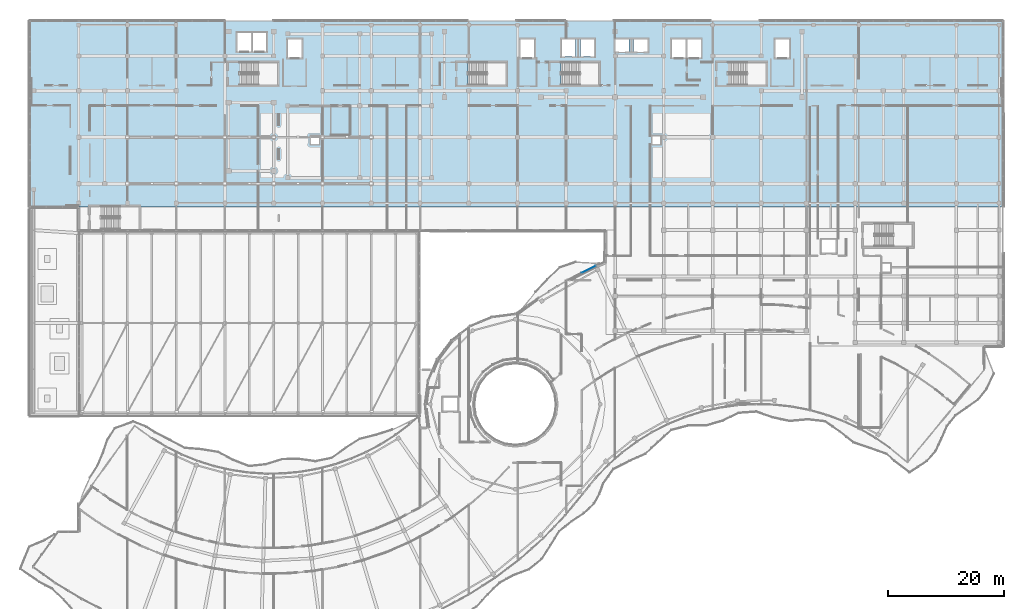
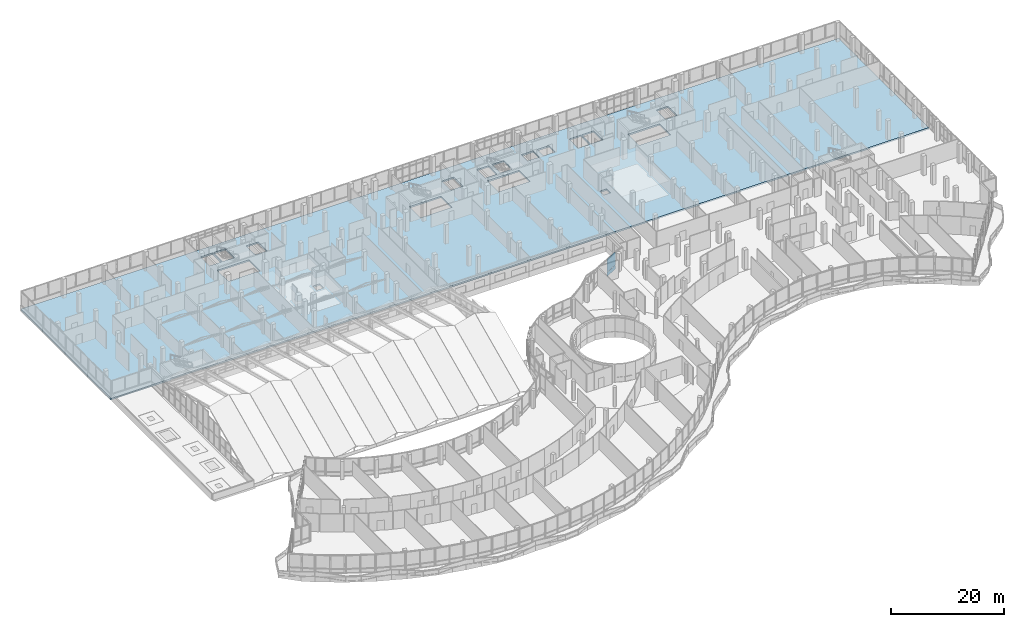
# One storey, part 154 of 184: 2 plates, 1 slab, 1 element without a shape of its own.
"""IFC4 building model written with IfcOpenShell, lengths in metres."""

import ifcopenshell
import ifcopenshell.guid

model = None  # the IFC model being written
_history = None  # IfcOwnerHistory: only IFC2X3 demands one
_inside = {}  # id of a spatial element -> (the spatial element, [elements in it])
_under = {}  # id of a project, library or spatial element -> (it, [spatial elements below it])
_declared = {}  # id of a project -> (the project, [libraries it declares])
_typed = {}  # id of a type object -> (the type object, [elements of that type])
_made_of = {}  # id of a material, layer set ... -> (it, [elements and type objects made of it])


def new_model(schema):
    """Start an empty IFC model of exactly this schema.

    Asked for "IFC4X3", IfcOpenShell would pick the latest addendum, in which some entities
    have other attributes; the version numbers below select the first issue.
    IFC2X3 requires an IfcOwnerHistory on every rooted entity: one is made here for all.
    """
    global model, _history
    if schema == "IFC4X3":
        model = ifcopenshell.file(schema_version=(4, 3, 0, 0))
    else:
        model = ifcopenshell.file(schema=schema)
    _inside.clear()
    _under.clear()
    _declared.clear()
    _typed.clear()
    _made_of.clear()
    _history = None
    if model.schema == "IFC2X3":
        org = make("IfcOrganization", Name="unknown")
        user = make(
            "IfcPersonAndOrganization",
            ThePerson=make("IfcPerson", FamilyName="unknown"),
            TheOrganization=org,
        )
        app = make(
            "IfcApplication",
            ApplicationDeveloper=org,
            Version="unknown",
            ApplicationFullName="unknown",
            ApplicationIdentifier="unknown",
        )
        _history = make(
            "IfcOwnerHistory",
            OwningUser=user,
            OwningApplication=app,
            ChangeAction="ADDED",
            CreationDate=0,
        )
    return model


def make(cls, **values):
    """One entity of the class cls with the attributes given. An attribute that is None is left unset."""
    return model.create_entity(
        cls, **{name: value for name, value in values.items() if value is not None}
    )


def rooted(cls, **values):
    """An entity with a GlobalId (a new one), such as an element, a storey or a relation."""
    return make(cls, GlobalId=ifcopenshell.guid.new(), OwnerHistory=_history, **values)


def si_unit(unit_type, name, prefix=None):
    """IfcSIUnit, for example si_unit("LENGTHUNIT", "METRE", prefix="MILLI")."""
    return make("IfcSIUnit", UnitType=unit_type, Prefix=prefix, Name=name)


def assignment(units):
    """IfcUnitAssignment: the units of a project."""
    return None if units is None else make("IfcUnitAssignment", Units=units)


def point(xyz):
    """IfcCartesianPoint."""
    return None if xyz is None else make("IfcCartesianPoint", Coordinates=xyz)


def direction(xyz):
    """IfcDirection."""
    return None if xyz is None else make("IfcDirection", DirectionRatios=xyz)


def frame(location, z_axis=None, x_axis=None):
    """IfcAxis2Placement3D, a coordinate frame: its origin and axes. An axis left out is left unset."""
    return make(
        "IfcAxis2Placement3D",
        Location=point(location),
        Axis=direction(z_axis),
        RefDirection=direction(x_axis),
    )


def frame_2d(location, x_axis=None):
    """IfcAxis2Placement2D, a coordinate frame in the plane: its origin and x axis."""
    return make(
        "IfcAxis2Placement2D", Location=point(location), RefDirection=direction(x_axis)
    )


def origin():
    """The frame at (0, 0, 0) with its axes left unset."""
    return frame((0.0, 0.0, 0.0))


def origin_2d():
    """The frame at (0, 0) in the plane with its x axis left unset."""
    return frame_2d((0.0, 0.0))


def place(relative_to, where):
    """IfcLocalPlacement: puts the frame where relative to a parent placement (None: the world)."""
    return make(
        "IfcLocalPlacement", PlacementRelTo=relative_to, RelativePlacement=where
    )


def context(
    kind, dimensions, precision=None, world=None, true_north=None, identifier=None
):
    """IfcGeometricRepresentationContext, for example the 3D "Model" context."""
    return make(
        "IfcGeometricRepresentationContext",
        ContextIdentifier=identifier,
        ContextType=kind,
        CoordinateSpaceDimension=dimensions,
        Precision=precision,
        WorldCoordinateSystem=world,
        TrueNorth=true_north,
    )


def subcontext(parent, identifier, kind, view, scale=None):
    """IfcGeometricRepresentationSubContext, for example "Body" below "Model"."""
    return make(
        "IfcGeometricRepresentationSubContext",
        ContextIdentifier=identifier,
        ContextType=kind,
        ParentContext=parent,
        TargetScale=scale,
        TargetView=view,
    )


def project(units=None, contexts=None):
    """IfcProject with its units and contexts."""
    return rooted(
        "IfcProject",
        Name="project",
        RepresentationContexts=contexts,
        UnitsInContext=assignment(units),
    )


def spatial(cls, under=None, at=None, **own):
    """A site, building, storey or space (cls), placed at a placement, below another one or the project."""
    s = rooted(cls, ObjectPlacement=at, **own)
    if under is not None:
        _under.setdefault(under.id(), (under, []))[1].append(s)
    return s


def polyline(points):
    """IfcPolyline through the points."""
    return make("IfcPolyline", Points=[point(p) for p in points])


def profile(cls, at=None, kind="AREA", **sizes):
    """A parametric profile (cls). Its sizes go by their IFC names, for example OverallWidth=200.0."""
    return make(cls, ProfileType=kind, Position=at, **sizes)


def rectangle(**sizes):
    """IfcRectangleProfileDef."""
    return profile("IfcRectangleProfileDef", **sizes)


def outline(outer, holes=None, kind="AREA"):
    """IfcArbitraryClosedProfileDef: a profile drawn as a closed curve; with holes, ...WithVoids."""
    if holes is None:
        return make("IfcArbitraryClosedProfileDef", ProfileType=kind, OuterCurve=outer)
    return make(
        "IfcArbitraryProfileDefWithVoids",
        ProfileType=kind,
        OuterCurve=outer,
        InnerCurves=holes,
    )


def extrude(swept, where, along, depth):
    """IfcExtrudedAreaSolid: the profile swept, set in the frame where, extruded along a direction by depth."""
    return make(
        "IfcExtrudedAreaSolid",
        SweptArea=swept,
        Position=where,
        ExtrudedDirection=direction(along),
        Depth=depth,
    )


def shape(context_of_items, identifier, shape_type, items):
    """IfcShapeRepresentation: the items that make up one representation, for example the "Body"."""
    return make(
        "IfcShapeRepresentation",
        ContextOfItems=context_of_items,
        RepresentationIdentifier=identifier,
        RepresentationType=shape_type,
        Items=items,
    )


def material(Name=None, Category=None):
    """IfcMaterial."""
    return make("IfcMaterial", Name=Name, Category=Category)


def layer(
    of_material, thickness, ventilated=None, Name=None, Category=None, Priority=None
):
    """IfcMaterialLayer: one layer of a wall or slab, of a material (None: an air gap)."""
    return make(
        "IfcMaterialLayer",
        Material=of_material,
        LayerThickness=thickness,
        IsVentilated=ventilated,
        Name=Name,
        Category=Category,
        Priority=Priority,
    )


def layer_set(layers, Name=None):
    """IfcMaterialLayerSet."""
    return make("IfcMaterialLayerSet", MaterialLayers=layers, LayerSetName=Name)


def made_of(thing, what):
    """Note that an element or type object is made of a material, layer set ...; save() writes the relation."""
    if what is not None:
        _made_of.setdefault(what.id(), (what, []))[1].append(thing)
    return thing


def type_object(cls, material=None, **own):
    """A type object (cls), such as IfcWallType, which elements share."""
    return made_of(rooted(cls, **own), material)


def element(
    cls,
    number,
    at=None,
    inside=None,
    cuts=None,
    type_object=None,
    material=None,
    context=None,
    identifier="Body",
    shape_type=None,
    held_by="IfcProductDefinitionShape",
    body=None,
    shapes=None,
    **own,
):
    """One element of the class cls, such as IfcWall. Its Tag is "e" and its number.

    at: its placement. inside: the storey or other place that contains it. cuts: it is an
    opening in that element (IfcRelVoidsElement). A single representation is given by context,
    identifier, shape_type and body (its items); several are given by shapes. held_by: the class
    of the entity that holds the representations. save() writes the other relations.
    """
    e = rooted(cls, Tag="e%d" % number, ObjectPlacement=at, **own)
    if body is not None:
        shapes = [shape(context, identifier, shape_type, body)]
    if shapes is not None:
        e.Representation = make(held_by, Representations=shapes)
    if inside is not None:
        _inside.setdefault(inside.id(), (inside, []))[1].append(e)
    if cuts is not None:
        rooted(
            "IfcRelVoidsElement", RelatingBuildingElement=cuts, RelatedOpeningElement=e
        )
    if type_object is not None:
        _typed.setdefault(type_object.id(), (type_object, []))[1].append(e)
    return made_of(e, material)


def aggregate(whole, parts):
    """IfcRelAggregates: a whole, such as a stair, and the parts it consists of."""
    return rooted("IfcRelAggregates", RelatingObject=whole, RelatedObjects=parts)


def save(model, path):
    """Write the relations noted so far, then the file.

    IfcRelAggregates (storeys below a building ...), IfcRelContainedInSpatialStructure (elements
    in a storey), IfcRelDefinesByType, IfcRelAssociatesMaterial and IfcRelDeclares: one each for
    every whole, place, type object, material and project.
    """
    for whole, parts in _under.values():
        aggregate(whole, parts)
    for where, things in _inside.values():
        rooted(
            "IfcRelContainedInSpatialStructure",
            RelatedElements=things,
            RelatingStructure=where,
        )
    for kind, things in _typed.values():
        rooted("IfcRelDefinesByType", RelatedObjects=things, RelatingType=kind)
    for what, things in _made_of.values():
        rooted("IfcRelAssociatesMaterial", RelatedObjects=things, RelatingMaterial=what)
    for by, libraries in _declared.values():
        rooted("IfcRelDeclares", RelatingContext=by, RelatedDefinitions=libraries)
    model.write(path)


model = new_model("IFC4")

# Units and contexts
model_context = context("Model", 3, precision=1e-05, world=origin(), true_north=direction((0.0, 1.0)))
body_context = subcontext(model_context, "Body", "Model", "MODEL_VIEW")
ifc_project = project(units=[si_unit("LENGTHUNIT", "METRE"), si_unit("AREAUNIT", "SQUARE_METRE"), si_unit("VOLUMEUNIT", "CUBIC_METRE"), si_unit("PLANEANGLEUNIT", "RADIAN"), si_unit("MASSUNIT", "GRAM", prefix="KILO")], contexts=[model_context])

# Site, building, storey
site_placement = place(None, origin())
site = spatial("IfcSite", under=ifc_project, at=site_placement, CompositionType="ELEMENT")
building_placement = place(site_placement, origin())
building = spatial("IfcBuilding", under=site, at=building_placement, Name="Selatvlak General Hospital", CompositionType="ELEMENT")
storey_placement = place(building_placement, frame((0.0, 0.0, 15.0)))
storey = spatial("IfcBuildingStorey", under=building, at=storey_placement, Name="L03", CompositionType="ELEMENT", Elevation=15.0)

# Curtain wall, plates
ifc_material_1 = material(Name="Solar-control Low-E double glazing", Category="glass")
curtain_wall_type = type_object("IfcCurtainWallType", Name="CW-CW-01", PredefinedType="USERDEFINED", material=ifc_material_1)
curtain_wall_placement = place(storey_placement, origin())
curtain_wall = element("IfcCurtainWall", 1, at=curtain_wall_placement, inside=storey, type_object=curtain_wall_type, Name="Glazed facade curtain wall CW-L03-0473", ObjectType="UNITISED CURTAIN WALL", PredefinedType="USERDEFINED")
ifc_layer_1 = layer(ifc_material_1, 0.028076171875, Name="Solar-control Low-E double glazing", Category="glass")
ifc_layer_set_1 = layer_set([ifc_layer_1], Name="Solar-control Low-E double glazing")
plate_type = type_object("IfcPlateType", Name="CWP-01", PredefinedType="CURTAIN_PANEL", material=ifc_layer_set_1)
plate_1_placement = place(storey_placement, frame((110.6513671875, 77.23583984375, 0.06494140625), z_axis=(0.0, 0.0, 1.0), x_axis=(0.891326828077, 0.453361318983, 0.0)))
plate_1 = element("IfcPlate", 2, at=plate_1_placement, type_object=plate_type, Name="CW-01 panel 2.1", PredefinedType="CURTAIN_PANEL", context=body_context, shape_type="SweptSolid", body=[
    extrude(rectangle(XDim=2.6630859375, YDim=0.028076171875, at=origin_2d()), origin(), (0.0, 0.0, 1.0), 0.8525390625),
])
plate_2_placement = place(storey_placement, frame((110.6513671875, 77.23583984375, 0.982421875), z_axis=(0.0, 0.0, 1.0), x_axis=(0.891326828077, 0.453361318983, 0.0)))
plate_2 = element("IfcPlate", 3, at=plate_2_placement, type_object=plate_type, Name="CW-01 panel 2.2", PredefinedType="CURTAIN_PANEL", context=body_context, shape_type="SweptSolid", body=[
    extrude(rectangle(XDim=2.6630859375, YDim=0.028076171875, at=origin_2d()), origin(), (0.0, 0.0, 1.0), 2.847412109375),
])
aggregate(curtain_wall, [plate_1, plate_2])

# Slab
ifc_material_2 = material(Name="Concrete C40/50", Category="concrete")
ifc_layer_2 = layer(ifc_material_2, 0.340087890625, Name="Concrete C40/50", Category="concrete")
ifc_layer_set_2 = layer_set([ifc_layer_2], Name="Concrete C40/50")
slab_type = type_object("IfcSlabType", Name="SLAB-SL-FL3", PredefinedType="FLOOR", material=ifc_layer_set_2)
slab_placement = place(storey_placement, frame((0.0, 0.0, -0.340087890625)))
element("IfcSlab", 4, at=slab_placement, inside=storey, type_object=slab_type, Name="L03 V5N structural slab", PredefinedType="FLOOR", context=body_context, shape_type="SweptSolid", body=[
    extrude(outline(polyline([(33.199951171875, 88.008056640625), (33.199951171875, 88.139892578125), (26.705078125, 88.139892578125), (26.705078125, 88.008056640625), (14.39990234375, 88.0), (14.39990234375, 120.0), (182.0, 120.0), (182.0, 88.0), (33.199951171875, 88.008056640625)]), holes=[polyline([(57.050048828125, 112.93994140625), (50.554931640625, 112.93994140625), (50.554931640625, 109.0), (57.050048828125, 109.0), (57.050048828125, 112.93994140625)]), polyline([(96.39990234375, 109.0), (96.39990234375, 112.93994140625), (89.905029296875, 112.93994140625), (89.905029296875, 109.0), (96.39990234375, 109.0)]), polyline([(105.905029296875, 109.0), (112.39990234375, 109.0), (112.39990234375, 112.93994140625), (105.905029296875, 112.93994140625), (105.905029296875, 109.0)]), polyline([(134.705078125, 112.93994140625), (134.705078125, 109.0), (141.199951171875, 109.0), (141.199951171875, 112.93994140625), (134.705078125, 112.93994140625)]), polyline([(61.199951171875, 116.89990234375), (58.800048828125, 116.89990234375), (58.800048828125, 113.699951171875), (61.199951171875, 113.699951171875), (61.199951171875, 116.89990234375)]), polyline([(101.300048828125, 113.699951171875), (101.300048828125, 116.89990234375), (98.89990234375, 116.89990234375), (98.89990234375, 113.699951171875), (101.300048828125, 113.699951171875)]), polyline([(142.800048828125, 113.699951171875), (145.199951171875, 113.699951171875), (145.199951171875, 116.89990234375), (142.800048828125, 116.89990234375), (142.800048828125, 113.699951171875)]), polyline([(50.10009765625, 118.0), (50.10009765625, 114.800048828125), (52.5, 114.800048828125), (52.5, 118.0), (50.10009765625, 118.0)]), polyline([(55.14990234375, 118.0), (52.75, 118.0), (52.75, 114.800048828125), (55.14990234375, 114.800048828125), (55.14990234375, 118.0)]), polyline([(127.35009765625, 113.699951171875), (127.35009765625, 116.89990234375), (124.949951171875, 116.89990234375), (124.949951171875, 113.699951171875), (127.35009765625, 113.699951171875)]), polyline([(127.60009765625, 113.699951171875), (130.0, 113.699951171875), (130.0, 116.89990234375), (127.60009765625, 116.89990234375), (127.60009765625, 113.699951171875)]), polyline([(115.199951171875, 116.89990234375), (115.199951171875, 114.699951171875), (117.60009765625, 114.699951171875), (117.60009765625, 116.89990234375), (115.199951171875, 116.89990234375)]), polyline([(120.800048828125, 116.89990234375), (118.39990234375, 116.89990234375), (118.39990234375, 114.699951171875), (120.800048828125, 114.699951171875), (120.800048828125, 116.89990234375)]), polyline([(108.39990234375, 113.89990234375), (108.39990234375, 116.89990234375), (106.0, 116.89990234375), (106.0, 113.89990234375), (108.39990234375, 113.89990234375)]), polyline([(109.199951171875, 113.89990234375), (111.60009765625, 113.89990234375), (111.60009765625, 116.89990234375), (109.199951171875, 116.89990234375), (109.199951171875, 113.89990234375)]), polyline([(62.800048828125, 100.199951171875), (62.800048828125, 98.800048828125), (64.199951171875, 98.800048828125), (64.199951171875, 100.199951171875), (62.800048828125, 100.199951171875)]), polyline([(123.0, 100.199951171875), (121.60009765625, 100.199951171875), (121.60009765625, 98.800048828125), (123.0, 98.800048828125), (123.0, 100.199951171875)])]), origin(), (0.0, 0.0, 1.0), 0.340087890625),
])

save(model, "model.ifc")
